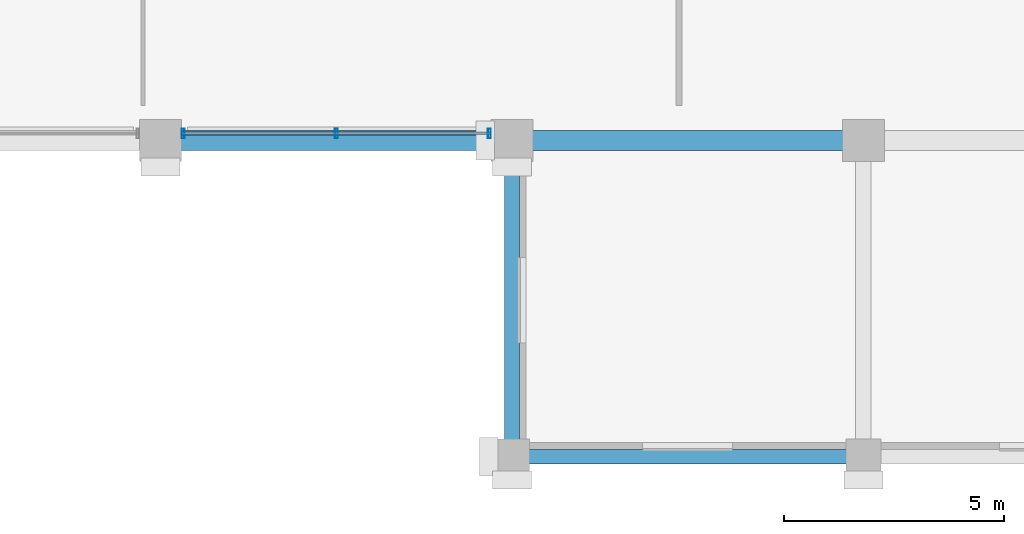
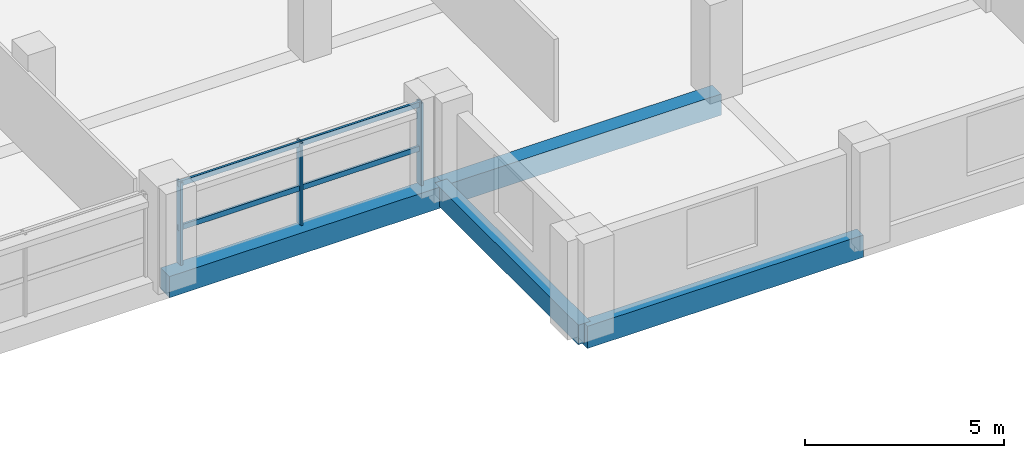
# One storey, part 7 of 23: 5 members, 4 beams, 1 element without a shape of its own.
"""IFC4 building model written with IfcOpenShell, lengths in metres."""

from ifc_helpers import new_model, si_unit, direction, frame, origin, origin_2d, place, context, subcontext, project, spatial, rectangle, hollow_rectangle, extrude, material, material_profile, profile_set, type_object, element, aggregate, save


model = new_model("IFC4")

# Units and contexts
model_context = context("Model", 3, precision=1e-05, world=origin(), true_north=direction((0.0, 1.0)))
body_context = subcontext(model_context, "Body", "Model", "MODEL_VIEW")
ifc_project = project(units=[si_unit("LENGTHUNIT", "METRE"), si_unit("AREAUNIT", "SQUARE_METRE"), si_unit("VOLUMEUNIT", "CUBIC_METRE"), si_unit("PLANEANGLEUNIT", "RADIAN"), si_unit("MASSUNIT", "GRAM", prefix="KILO")], contexts=[model_context])

# Site, building, storey
site_placement = place(None, origin())
site = spatial("IfcSite", under=ifc_project, at=site_placement, CompositionType="ELEMENT")
building_placement = place(site_placement, origin())
building = spatial("IfcBuilding", under=site, at=building_placement, Name="Akrevak Sports Hall", CompositionType="ELEMENT")
storey_placement = place(building_placement, frame((0.0, 0.0, 43.800048828125)))
storey = spatial("IfcBuildingStorey", under=building, at=storey_placement, Name="L10", CompositionType="ELEMENT", Elevation=43.800048828125)

# Curtain wall, members
ifc_material_1 = material(Name="Anodized Bronze Aluminium & Low-E Glass", Category="aluminium")
curtain_wall_type = type_object("IfcCurtainWallType", Name="ARC-CW-TWR-64x30", PredefinedType="NOTDEFINED", material=ifc_material_1)
curtain_wall_placement = place(storey_placement, origin())
curtain_wall = element("IfcCurtainWall", 1, at=curtain_wall_placement, inside=storey, type_object=curtain_wall_type, Name="Curtain Wall CW-L10-S06", PredefinedType="NOTDEFINED")
ifc_material_2 = material(Name="Anodized Bronze Aluminium", Category="aluminium")
ifc_material_profile_1 = material_profile(ifc_material_2, hollow_rectangle(XDim=0.06494140625, YDim=0.219970703125, WallThickness=0.00439453125, at=origin_2d()), Name="CWM 65x220", Category="aluminium")
ifc_profile_set_1 = profile_set([ifc_material_profile_1], Name="Anodized Bronze Aluminium")
member_type_1 = type_object("IfcMemberType", Name="ARC-CWM-70x160", PredefinedType="MULLION", material=ifc_profile_set_1)
member_1_placement = place(storey_placement, frame((84.514892578125, 28.9599609375, 0.0), z_axis=(0.0, 0.0, 1.0), x_axis=(1.0, 0.0, 0.0)))
member_1 = element("IfcMember", 2, at=member_1_placement, type_object=member_type_1, Name="Curtain Wall Mullion CW-L10-S06-M1", PredefinedType="MULLION", context=body_context, shape_type="SweptSolid", body=[
    extrude(hollow_rectangle(XDim=0.06494140625, YDim=0.219970703125, WallThickness=0.00439453125, at=origin_2d()), origin(), (0.0, 0.0, 1.0), 2.530029296875),
])
member_2_placement = place(storey_placement, frame((88.0, 28.9599609375, 0.0), z_axis=(0.0, 0.0, 1.0), x_axis=(1.0, 0.0, 0.0)))
member_2 = element("IfcMember", 3, at=member_2_placement, type_object=member_type_1, Name="Curtain Wall Mullion CW-L10-S06-M2", PredefinedType="MULLION", context=body_context, shape_type="SweptSolid", body=[
    extrude(hollow_rectangle(XDim=0.06494140625, YDim=0.219970703125, WallThickness=0.00439453125, at=origin_2d()), origin(), (0.0, 0.0, 1.0), 2.530029296875),
])
member_3_placement = place(storey_placement, frame((91.485107421875, 28.9599609375, 0.0), z_axis=(0.0, 0.0, 1.0), x_axis=(1.0, 0.0, 0.0)))
member_3 = element("IfcMember", 4, at=member_3_placement, type_object=member_type_1, Name="Curtain Wall Mullion CW-L10-S06-M3", PredefinedType="MULLION", context=body_context, shape_type="SweptSolid", body=[
    extrude(hollow_rectangle(XDim=0.06494140625, YDim=0.219970703125, WallThickness=0.00439453125, at=origin_2d()), origin(), (0.0, 0.0, 1.0), 2.530029296875),
])
ifc_material_profile_2 = material_profile(ifc_material_2, hollow_rectangle(XDim=0.06494140625, YDim=0.159912109375, WallThickness=0.00390625, at=origin_2d()), Name="CWT 65x160", Category="aluminium")
ifc_profile_set_2 = profile_set([ifc_material_profile_2], Name="Anodized Bronze Aluminium")
member_type_2 = type_object("IfcMemberType", Name="ARC-CWT-70x130", PredefinedType="USERDEFINED", material=ifc_profile_set_2)
member_4_placement = place(storey_placement, frame((84.47509765625, 28.9599609375, 1.099853515625), z_axis=(1.0, 0.0, 0.0), x_axis=(0.0, 1.0, 0.0)))
member_4 = element("IfcMember", 5, at=member_4_placement, type_object=member_type_2, Name="Curtain Wall Transom CW-L10-S06-T1", ObjectType="TRANSOM", PredefinedType="USERDEFINED", context=body_context, shape_type="SweptSolid", body=[
    extrude(hollow_rectangle(XDim=0.06494140625, YDim=0.159912109375, WallThickness=0.00390625, at=origin_2d()), origin(), (0.0, 0.0, 1.0), 7.0498046875),
])
member_5_placement = place(storey_placement, frame((84.47509765625, 28.9599609375, 2.449951171875), z_axis=(1.0, 0.0, 0.0), x_axis=(0.0, 1.0, 0.0)))
member_5 = element("IfcMember", 6, at=member_5_placement, type_object=member_type_2, Name="Curtain Wall Transom CW-L10-S06-T2", ObjectType="TRANSOM", PredefinedType="USERDEFINED", context=body_context, shape_type="SweptSolid", body=[
    extrude(hollow_rectangle(XDim=0.06494140625, YDim=0.159912109375, WallThickness=0.00390625, at=origin_2d()), origin(), (0.0, 0.0, 1.0), 7.0498046875),
])
aggregate(curtain_wall, [member_1, member_2, member_3, member_4, member_5])

# Beams
ifc_material_3 = material(Name="Concrete C40/50", Category="concrete")
ifc_material_profile_3 = material_profile(ifc_material_3, rectangle(XDim=0.35009765625, YDim=0.60009765625, at=origin_2d()), Name="BM 350x600", Category="concrete")
ifc_profile_set_3 = profile_set([ifc_material_profile_3], Name="Concrete C40/50")
beam_type_1 = type_object("IfcBeamType", Name="STR-BM-RC350x600", PredefinedType="BEAM", material=ifc_profile_set_3)
beam_1_placement = place(storey_placement, frame((92.0, 21.60009765625, -0.300048828125), z_axis=(0.0, 1.0, 0.0), x_axis=(-1.0, 0.0, 0.0)))
element("IfcBeam", 7, at=beam_1_placement, inside=storey, type_object=beam_type_1, Name="Girder 13/D-E (L10)", PredefinedType="BEAM", context=body_context, shape_type="SweptSolid", body=[
    extrude(rectangle(XDim=0.35009765625, YDim=0.60009765625, at=origin_2d()), origin(), (0.0, 0.0, 1.0), 7.199951171875),
])
ifc_material_profile_4 = material_profile(ifc_material_3, rectangle(XDim=0.449951171875, YDim=0.64990234375, at=origin_2d()), Name="BM 450x650", Category="concrete")
ifc_profile_set_4 = profile_set([ifc_material_profile_4], Name="Concrete C40/50")
beam_type_2 = type_object("IfcBeamType", Name="STR-BM-RC450x650", PredefinedType="BEAM", material=ifc_profile_set_4)
for number, where, z_axis, x_axis, name in (
    (8, (84.0, 28.800048828125, -0.324951171875), (1.0, 0.0, 0.0), (0.0, 1.0, 0.0), "Girder E/12-13 (L10)"),
    (9, (92.0, 28.800048828125, -0.324951171875), (1.0, 0.0, 0.0), (0.0, 1.0, 0.0), "Girder E/13-14 (L10)"),
):
    element("IfcBeam", number, at=place(storey_placement, frame(where, z_axis=z_axis, x_axis=x_axis)), inside=storey, type_object=beam_type_2, Name=name, PredefinedType="BEAM", context=body_context, shape_type="SweptSolid", body=[
        extrude(rectangle(XDim=0.449951171875, YDim=0.64990234375, at=origin_2d()), origin(), (0.0, 0.0, 1.0), 8.0),
    ])
ifc_material_profile_5 = material_profile(ifc_material_3, rectangle(XDim=0.320068359375, YDim=0.679931640625, at=origin_2d()), Name="SPD 320x680", Category="concrete")
ifc_profile_set_5 = profile_set([ifc_material_profile_5], Name="Concrete C40/50")
beam_type_3 = type_object("IfcBeamType", Name="STR-SPD-RC320x680", PredefinedType="SPANDREL", material=ifc_profile_set_5)
beam_2_placement = place(storey_placement, frame((92.0, 21.60009765625, -0.340087890625), z_axis=(1.0, 0.0, 0.0), x_axis=(0.0, 1.0, 0.0)))
element("IfcBeam", 10, at=beam_2_placement, inside=storey, type_object=beam_type_3, Name="Girder D/13-14 (L10)", PredefinedType="SPANDREL", context=body_context, shape_type="SweptSolid", body=[
    extrude(rectangle(XDim=0.320068359375, YDim=0.679931640625, at=origin_2d()), origin(), (0.0, 0.0, 1.0), 8.0),
])

save(model, "model.ifc")
